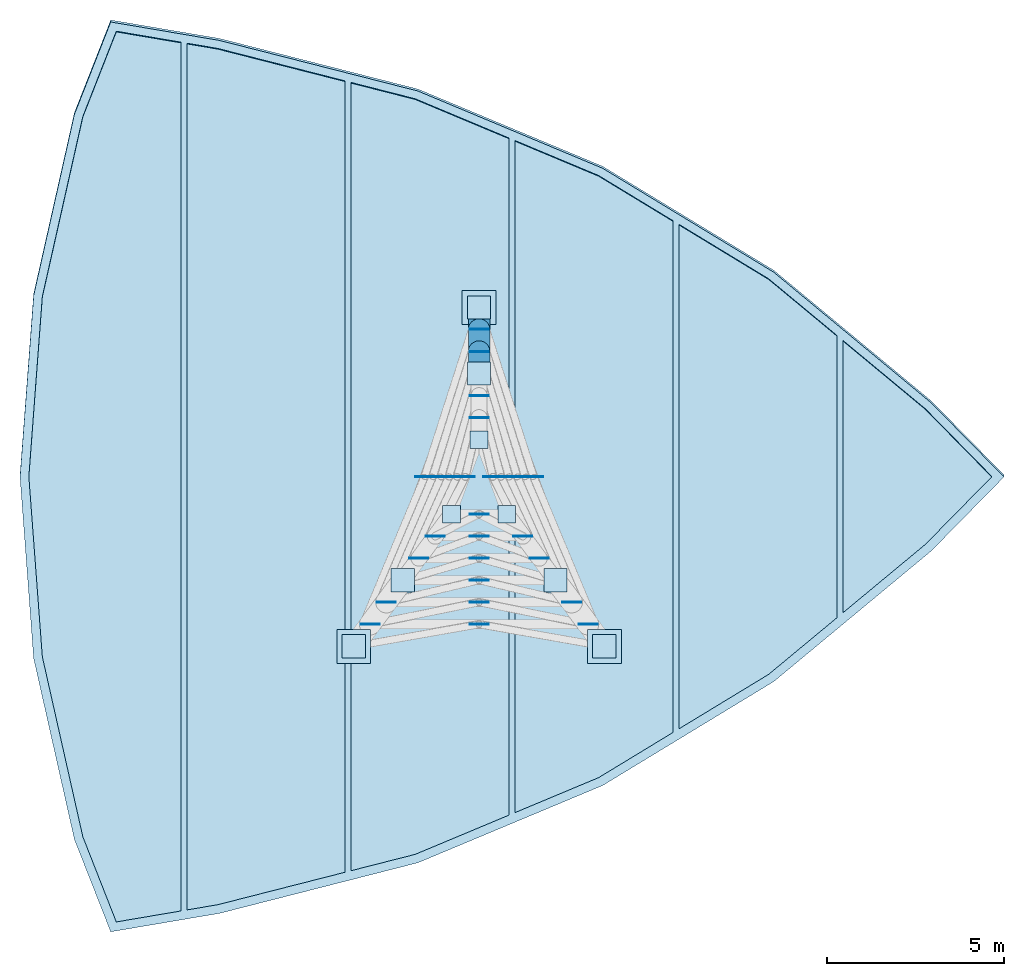
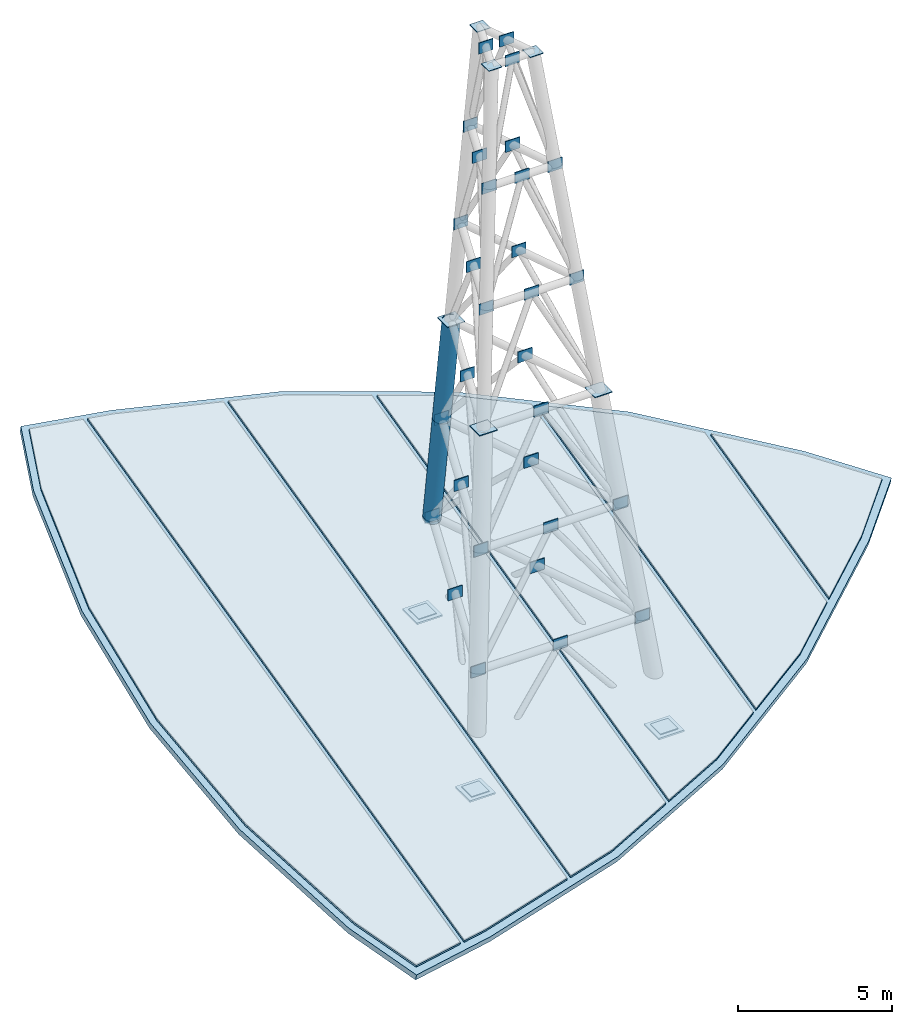
# One storey, part 2 of 3: 42 plates, 6 roofs, 3 members, 1 slab.
"""IFC4 building model written with IfcOpenShell, lengths in metres."""

from ifc_helpers import new_model, si_unit, direction, frame, origin, origin_2d, place, context, subcontext, project, spatial, polyline, rectangle, hollow_circle, outline, extrude, material, layer, layer_set, material_profile, profile_set, type_object, element, save


model = new_model("IFC4")

# Units and contexts
model_context = context("Model", 3, precision=1e-05, world=origin(), true_north=direction((0.0, 1.0)))
body_context = subcontext(model_context, "Body", "Model", "MODEL_VIEW")
ifc_project = project(units=[si_unit("LENGTHUNIT", "METRE"), si_unit("AREAUNIT", "SQUARE_METRE"), si_unit("VOLUMEUNIT", "CUBIC_METRE"), si_unit("PLANEANGLEUNIT", "RADIAN"), si_unit("MASSUNIT", "GRAM", prefix="KILO")], contexts=[model_context])

# Site, building, storey
site_placement = place(None, origin())
site = spatial("IfcSite", under=ifc_project, at=site_placement, CompositionType="ELEMENT")
building_placement = place(site_placement, origin())
building = spatial("IfcBuilding", under=site, at=building_placement, Name="Menara Vayukalpa", CompositionType="ELEMENT")
storey_placement = place(building_placement, frame((0.0, 0.0, 318.419921875)))
storey = spatial("IfcBuildingStorey", under=building, at=storey_placement, Name="RF", CompositionType="ELEMENT", Elevation=318.419921875)

# Members
ifc_material_1 = material(Name="Steel S460", Category="steel")
ifc_material_profile = material_profile(ifc_material_1, hollow_circle(Radius=0.3046875, WallThickness=0.028076171875, at=origin_2d()), Name="CHS 609.6x28")
ifc_profile_set = profile_set([ifc_material_profile], Name="Steel S460")
member_type = type_object("IfcMemberType", Name="MEM-ML1", PredefinedType="POST", material=ifc_profile_set)
member_placement = place(storey_placement, frame((25.60009765625, 26.800048828125, 0.0), z_axis=(0.0, -0.144709952784, 0.989474117683), x_axis=(1.0, 0.0, 0.0)))
element("IfcMember", 1, at=member_placement, inside=storey, type_object=member_type, Name="Broadcast Mast Leg ML1 Tier 1 L3", PredefinedType="POST", context=body_context, shape_type="SweptSolid", body=[
    extrude(hollow_circle(Radius=0.3046875, WallThickness=0.028076171875, at=origin_2d()), origin(), (0.0, 0.0, 1.0), 4.312255859375),
])
for number, where, z_axis, x_axis, name in (
    (2, (25.60009765625, 26.176025390625, 4.266845703125), (0.0, -0.144718059864, 0.989472931994), (1.0, 0.0, 0.0), "Broadcast Mast Leg ML1 Tier 2 L3"),
    (3, (25.60009765625, 25.552001953125, 8.533447265625), (0.0, -0.144718059864, 0.989472931994), (1.0, 0.0, 0.0), "Broadcast Mast Leg ML1 Tier 3 L3"),
):
    element("IfcMember", number, at=place(storey_placement, frame(where, z_axis=z_axis, x_axis=x_axis)), inside=storey, type_object=member_type, Name=name, PredefinedType="POST", context=body_context, shape_type="SweptSolid", body=[
        extrude(hollow_circle(Radius=0.3046875, WallThickness=0.028076171875, at=origin_2d()), origin(), (0.0, 0.0, 1.0), 4.31201171875),
    ])

# Plates
ifc_material_2 = material(Name="Steel S355", Category="steel")
ifc_layer_1 = layer(ifc_material_2, 0.028076171875)
ifc_layer_set_1 = layer_set([ifc_layer_1], Name="Steel S355")
plate_type_1 = type_object("IfcPlateType", Name="PLT-END2", PredefinedType="USERDEFINED", material=ifc_layer_set_1)
for number, where, z_axis, x_axis, name in (
    (4, (22.511474609375, 17.823974609375, 4.046875), (0.0, 0.0, 1.0), (1.0, 0.0, 0.0), "RF Structural Brace End Gusset Plate 099"),
    (5, (28.6884765625, 17.823974609375, 4.046875), (0.0, 0.0, 1.0), (1.0, 0.0, 0.0), "RF Structural Brace End Gusset Plate 100"),
    (6, (25.60009765625, 26.176025390625, 4.046875), (0.0, 0.0, 1.0), (1.0, 0.0, 0.0), "RF Structural Brace End Gusset Plate 101"),
    (7, (25.60009765625, 17.823974609375, 4.046875), (0.0, 0.0, 1.0), (1.0, 0.0, 0.0), "RF Structural Brace End Gusset Plate 102"),
    (8, (27.144287109375, 22.0, 4.046875), (0.0, 0.0, 1.0), (1.0, 0.0, 0.0), "RF Structural Brace End Gusset Plate 103"),
    (9, (24.055908203125, 22.0, 4.046875), (0.0, 0.0, 1.0), (1.0, 0.0, 0.0), "RF Structural Brace End Gusset Plate 104"),
    (10, (22.972900390625, 18.447998046875, 8.3134765625), (0.0, 0.0, 1.0), (1.0, 0.0, 0.0), "RF Structural Brace End Gusset Plate 105"),
    (11, (28.22705078125, 18.447998046875, 8.3134765625), (0.0, 0.0, 1.0), (1.0, 0.0, 0.0), "RF Structural Brace End Gusset Plate 106"),
    (12, (25.60009765625, 25.552001953125, 8.3134765625), (0.0, 0.0, 1.0), (1.0, 0.0, 0.0), "RF Structural Brace End Gusset Plate 107"),
    (13, (25.60009765625, 18.447998046875, 8.3134765625), (0.0, 0.0, 1.0), (1.0, 0.0, 0.0), "RF Structural Brace End Gusset Plate 108"),
    (14, (26.91357421875, 22.0, 8.3134765625), (0.0, 0.0, 1.0), (1.0, 0.0, 0.0), "RF Structural Brace End Gusset Plate 109"),
    (15, (24.28662109375, 22.0, 8.3134765625), (0.0, 0.0, 1.0), (1.0, 0.0, 0.0), "RF Structural Brace End Gusset Plate 110"),
    (16, (25.60009765625, 19.072021484375, 12.580078125), (0.0, 0.0, 1.0), (1.0, 0.0, 0.0), "RF Structural Brace End Gusset Plate 111"),
    (17, (26.6826171875, 22.0, 12.580078125), (0.0, 0.0, 1.0), (1.0, 0.0, 0.0), "RF Structural Brace End Gusset Plate 112"),
    (18, (24.517333984375, 22.0, 12.580078125), (0.0, 0.0, 1.0), (1.0, 0.0, 0.0), "RF Structural Brace End Gusset Plate 113"),
    (19, (23.89599609375, 19.696044921875, 16.846923828125), (0.0, 0.0, 1.0), (1.0, 0.0, 0.0), "RF Structural Brace End Gusset Plate 114"),
    (20, (27.303955078125, 19.696044921875, 16.846923828125), (0.0, 0.0, 1.0), (1.0, 0.0, 0.0), "RF Structural Brace End Gusset Plate 115"),
    (21, (25.60009765625, 24.303955078125, 16.846923828125), (0.0, 0.0, 1.0), (1.0, 0.0, 0.0), "RF Structural Brace End Gusset Plate 116"),
    (22, (25.60009765625, 19.696044921875, 16.846923828125), (0.0, 0.0, 1.0), (1.0, 0.0, 0.0), "RF Structural Brace End Gusset Plate 117"),
    (23, (26.451904296875, 22.0, 16.846923828125), (0.0, 0.0, 1.0), (1.0, 0.0, 0.0), "RF Structural Brace End Gusset Plate 118"),
    (24, (24.748046875, 22.0, 16.846923828125), (0.0, 0.0, 1.0), (1.0, 0.0, 0.0), "RF Structural Brace End Gusset Plate 119"),
    (25, (24.357421875, 20.320068359375, 21.113525390625), (0.0, 0.0, 1.0), (1.0, 0.0, 0.0), "RF Structural Brace End Gusset Plate 120"),
    (26, (26.842529296875, 20.320068359375, 21.113525390625), (0.0, 0.0, 1.0), (1.0, 0.0, 0.0), "RF Structural Brace End Gusset Plate 121"),
    (27, (25.60009765625, 23.679931640625, 21.113525390625), (0.0, 0.0, 1.0), (1.0, 0.0, 0.0), "RF Structural Brace End Gusset Plate 122"),
    (28, (25.60009765625, 20.320068359375, 21.113525390625), (0.0, 0.0, 1.0), (1.0, 0.0, 0.0), "RF Structural Brace End Gusset Plate 123"),
    (29, (26.22119140625, 22.0, 21.113525390625), (0.0, 0.0, 1.0), (1.0, 0.0, 0.0), "RF Structural Brace End Gusset Plate 124"),
    (30, (24.978759765625, 22.0, 21.113525390625), (0.0, 0.0, 1.0), (1.0, 0.0, 0.0), "RF Structural Brace End Gusset Plate 125"),
    (31, (25.60009765625, 20.944091796875, 25.380126953125), (0.0, 0.0, 1.0), (1.0, 0.0, 0.0), "RF Structural Brace End Gusset Plate 126"),
    (32, (25.990478515625, 22.0, 25.380126953125), (0.0, 0.0, 1.0), (1.0, 0.0, 0.0), "RF Structural Brace End Gusset Plate 127"),
    (33, (25.20947265625, 22.0, 25.380126953125), (0.0, 0.0, 1.0), (1.0, 0.0, 0.0), "RF Structural Brace End Gusset Plate 128"),
):
    element("IfcPlate", number, at=place(storey_placement, frame(where, z_axis=z_axis, x_axis=x_axis)), inside=storey, type_object=plate_type_1, Name=name, ObjectType="GUSSET_PLATE", PredefinedType="USERDEFINED", context=body_context, shape_type="SweptSolid", body=[
        extrude(rectangle(XDim=0.5400390625, YDim=0.028076171875, at=origin_2d()), origin(), (0.0, 0.0, 1.0), 0.43994140625),
    ])
ifc_material_3 = material(Name="Steel S355", Category="steel")
ifc_layer_2 = layer(ifc_material_3, 0.030029296875)
ifc_layer_set_2 = layer_set([ifc_layer_2], Name="Steel S355")
plate_type_2 = type_object("IfcPlateType", Name="PLT-MCP3", PredefinedType="USERDEFINED", material=ifc_layer_set_2)
for number, where, z_axis, x_axis, name in (
    (34, (22.050048828125, 17.199951171875, 0.06494140625), (0.0, 0.0, 1.0), (1.0, 0.0, 0.0), "Broadcast Mast Leg L1 Bottom Cap Plate MCP3"),
    (35, (29.14990234375, 17.199951171875, 0.06494140625), (0.0, 0.0, 1.0), (1.0, 0.0, 0.0), "Broadcast Mast Leg L2 Bottom Cap Plate MCP3"),
    (36, (25.60009765625, 26.800048828125, 0.06494140625), (0.0, 0.0, 1.0), (1.0, 0.0, 0.0), "Broadcast Mast Leg L3 Bottom Cap Plate MCP3"),
    (37, (23.4345703125, 19.072021484375, 12.80029296875), (0.0, 0.0, 1.0), (1.0, 0.0, 0.0), "Broadcast Mast Leg L1 End Cap Plate"),
    (38, (27.765380859375, 19.072021484375, 12.80029296875), (0.0, 0.0, 1.0), (1.0, 0.0, 0.0), "Broadcast Mast Leg L2 End Cap Plate"),
    (39, (25.60009765625, 24.927978515625, 12.80029296875), (0.0, 0.0, 1.0), (1.0, 0.0, 0.0), "Broadcast Mast Leg L3 End Cap Plate"),
):
    element("IfcPlate", number, at=place(storey_placement, frame(where, z_axis=z_axis, x_axis=x_axis)), inside=storey, type_object=plate_type_2, Name=name, ObjectType="CAP_PLATE", PredefinedType="USERDEFINED", context=body_context, shape_type="SweptSolid", body=[
        extrude(rectangle(XDim=0.659912109375, YDim=0.659912109375, at=origin_2d()), origin(), (0.0, 0.0, 1.0), 0.030029296875),
    ])
ifc_material_4 = material(Name="Steel S355", Category="steel")
ifc_layer_3 = layer(ifc_material_4, 0.02490234375)
ifc_layer_set_3 = layer_set([ifc_layer_3], Name="Steel S355")
plate_type_3 = type_object("IfcPlateType", Name="PLT-MCP4", PredefinedType="USERDEFINED", material=ifc_layer_set_3)
for number, where, z_axis, x_axis, name in (
    (40, (24.819091796875, 20.944091796875, 25.60009765625), (0.0, 0.0, 1.0), (1.0, 0.0, 0.0), "Broadcast Mast Leg L1 End Cap Plate"),
    (41, (26.381103515625, 20.944091796875, 25.60009765625), (0.0, 0.0, 1.0), (1.0, 0.0, 0.0), "Broadcast Mast Leg L2 End Cap Plate"),
    (42, (25.60009765625, 23.055908203125, 25.60009765625), (0.0, 0.0, 1.0), (1.0, 0.0, 0.0), "Broadcast Mast Leg L3 End Cap Plate"),
):
    element("IfcPlate", number, at=place(storey_placement, frame(where, z_axis=z_axis, x_axis=x_axis)), inside=storey, type_object=plate_type_3, Name=name, ObjectType="CAP_PLATE", PredefinedType="USERDEFINED", context=body_context, shape_type="SweptSolid", body=[
        extrude(rectangle(XDim=0.5, YDim=0.5, at=origin_2d()), origin(), (0.0, 0.0, 1.0), 0.02490234375),
    ])
ifc_material_5 = material(Name="Steel S355", Category="steel")
ifc_layer_4 = layer(ifc_material_5, 0.06494140625)
ifc_layer_set_4 = layer_set([ifc_layer_4], Name="Steel S355")
plate_type_4 = type_object("IfcPlateType", Name="PLT-MPB1", PredefinedType="USERDEFINED", material=ifc_layer_set_4)
for number, where, z_axis, x_axis, name in (
    (43, (22.050048828125, 17.199951171875, 0.0), (0.0, 0.0, 1.0), (1.0, 0.0, 0.0), "Broadcast Mast Leg L1 Base Plate MPB1"),
    (44, (29.14990234375, 17.199951171875, 0.0), (0.0, 0.0, 1.0), (1.0, 0.0, 0.0), "Broadcast Mast Leg L2 Base Plate MPB1"),
    (45, (25.60009765625, 26.800048828125, 0.0), (0.0, 0.0, 1.0), (1.0, 0.0, 0.0), "Broadcast Mast Leg L3 Base Plate MPB1"),
):
    element("IfcPlate", number, at=place(storey_placement, frame(where, z_axis=z_axis, x_axis=x_axis)), inside=storey, type_object=plate_type_4, Name=name, ObjectType="BASE_PLATE", PredefinedType="USERDEFINED", context=body_context, shape_type="SweptSolid", body=[
        extrude(rectangle(XDim=0.9599609375, YDim=0.9599609375, at=origin_2d()), origin(), (0.0, 0.0, 1.0), 0.06494140625),
    ])

# Slab
ifc_material_6 = material(Name="Concrete C40/50", Category="concrete")
ifc_layer_5 = layer(ifc_material_6, 0.239990234375)
ifc_layer_set_5 = layer_set([ifc_layer_5], Name="Concrete C40/50")
slab_type = type_object("IfcSlabType", Name="SLB-RF240", PredefinedType="ROOF", material=ifc_layer_set_5)
slab_placement = place(storey_placement, frame((38.41064453125, 19.903564453125, 2.590576171875), z_axis=(-3.85713e-07, -0.233445453654, 0.972369898839), x_axis=(0.690541392941, 0.703308158598, 0.16884969258)))
element("IfcSlab", 46, at=slab_placement, inside=storey, type_object=slab_type, Name="Crown Sloped Structural Roof Slab", PredefinedType="ROOF", context=body_context, shape_type="SweptSolid", body=[
    extrude(outline(polyline([(0.0, 0.0), (2.9807765767029792, -1.8041124150158794e-16), (3.1188431636388922, 2.977618574335408), (2.7902668193436946, 8.832810345026903), (1.6333815602229698, 14.429501261726893), (-0.3515996845603965, 19.76789461183943), (-3.1648486210998135, 24.847826464278207), (-4.9069448727964335, 27.453151131148392), (-7.567042027290541, 26.336576716969304), (-12.182470717091105, 23.526706099702906), (-16.266378859466922, 20.160023069873386), (-19.818515419071776, 16.23642975494139), (-22.839090208182395, 11.756063383764005), (-24.077684390120456, 9.150483419083503), (-21.555781188700042, 7.289655200419761), (-16.61160756539702, 4.244157461819828), (-11.37081416390048, 2.014149574949357), (-5.833696359512261, 0.5993495397688179), (0.0, 0.0)])), origin(), (0.0, 0.0, -1.0), 0.239990234375),
])

# Roofs
ifc_material_7 = material(Name="Low-E Laminated Crown Skylight Glazing", Category="glass")
ifc_layer_6 = layer(ifc_material_7, 0.080078125)
ifc_layer_set_6 = layer_set([ifc_layer_6], Name="Low-E Laminated Crown Skylight Glazing")
roof_type = type_object("IfcRoofType", Name="ROF-SHD1", PredefinedType="SHED_ROOF", material=ifc_layer_set_6)
roof_1_placement = place(storey_placement, frame((15.323974609375, 9.394287109375, 0.1474609375), z_axis=(2.3765407e-05, -0.233448279962, 0.972369220007), x_axis=(-0.356762021721, 0.908380776786, 0.218094530475)))
element("IfcRoof", 47, at=roof_1_placement, inside=storey, type_object=roof_type, Name="Crown Sloped Skylight Roof Panel RF-01", PredefinedType="SHED_ROOF", context=body_context, shape_type="SweptSolid", body=[
    extrude(outline(polyline([(0.0, 0.0), (2.6572280252059395, 2.0816681711721685e-16), (7.962487140781123, -0.7985337215247581), (12.994451942851777, -2.311208702273671), (17.753793422659964, -4.537758509745584), (22.240780925300932, -7.478808683438688), (24.22164279666028, -9.250059651898674), (23.26618133349992, -10.852527852106359), (-0.3559709327291538, -1.8314090407484007), (0.0, 0.0)])), origin(), (0.0, 0.0, -1.0), 0.080078125),
])
roof_2_placement = place(storey_placement, frame((18.201171875, 9.8828125, 0.2646484375), z_axis=(-2.6227654e-05, -0.233442854226, 0.972370522549), x_axis=(-0.985066125345, -0.167413268116, -0.040218482781)))
element("IfcRoof", 48, at=roof_2_placement, inside=storey, type_object=roof_type, Name="Crown Sloped Skylight Roof Panel RF-02", PredefinedType="SHED_ROOF", context=body_context, shape_type="SweptSolid", body=[
    extrude(outline(polyline([(0.0, 0.0), (0.8924785533256521, 0.0), (-3.4515877024206176, -24.85353050407132), (-4.291151686871355, -24.550792527347564), (-7.680655702505753, -22.998224839785102), (-3.7151990345155292, -0.310818037029291), (0.0, 0.0)])), origin(), (0.0, 0.0, -1.0), 0.080078125),
])
roof_3_placement = place(storey_placement, frame((23.790283203125, 11.30810546875, 0.60693359375), z_axis=(0.0, -0.233446211888, 0.972369716803), x_axis=(-0.967294898865, -0.246645903076, -0.059214669848)))
element("IfcRoof", 49, at=roof_3_placement, inside=storey, type_object=roof_type, Name="Crown Sloped Skylight Roof Panel RF-03", PredefinedType="SHED_ROOF", context=body_context, shape_type="SweptSolid", body=[
    extrude(outline(polyline([(0.0, 0.0), (1.8846352327645528, 1.734723475976807e-17), (-3.9361013988988702, -22.19700427742518), (-5.578219588901562, -21.27218115344969), (-7.863199934045883, -19.48885809635288), (-2.8660539160984224, -0.43256358340232676), (0.0, 0.0)])), origin(), (0.0, 0.0, -1.0), 0.080078125),
])
roof_4_placement = place(storey_placement, frame((28.988037109375, 13.482421875, 1.12890625), z_axis=(2.4583046e-05, -0.233447481095, 0.97236941178), x_axis=(-0.918595444774, -0.384284886238, -0.092236300067)))
element("IfcRoof", 50, at=roof_4_placement, inside=storey, type_object=roof_type, Name="Crown Sloped Skylight Roof Panel RF-04", PredefinedType="SHED_ROOF", context=body_context, shape_type="SweptSolid", body=[
    extrude(outline(polyline([(0.0, 0.0), (2.585734725184931, -1.3183898417423734e-16), (-5.1455429665125125, -17.970472754793178), (-6.923585136934196, -16.09308358309074), (-8.340971563214206, -14.048285142586943), (-2.45926118652672, -0.37692055070782104), (0.0, 0.0)])), origin(), (0.0, 0.0, -1.0), 0.080078125),
])
roof_5_placement = place(storey_placement, frame((33.80322265625, 16.4072265625, 1.8310546875), z_axis=(2.9641408e-05, -0.23344522725, 0.972369952742), x_axis=(-0.8481122527, -0.515183589649, -0.123658706833)))
element("IfcRoof", 51, at=roof_5_placement, inside=storey, type_object=roof_type, Name="Crown Sloped Skylight Roof Panel RF-05", PredefinedType="SHED_ROOF", context=body_context, shape_type="SweptSolid", body=[
    extrude(outline(polyline([(0.0, 0.0), (3.000689903855936, 1.3877787807814457e-17), (-4.778632500102239, -12.452873179880061), (-6.09467125483832, -9.756141242956685), (-6.863489098414252, -7.324382965221125), (-2.522586543369119, -0.37561464537632816), (0.0, 0.0)])), origin(), (0.0, 0.0, -1.0), 0.080078125),
])
roof_6_placement = place(storey_placement, frame((35.903564453125, 18.149169921875, 2.249267578125), z_axis=(2.6790109e-05, -0.233463940442, 0.972365459997), x_axis=(1.3e-10, 0.972365460346, 0.233463940526)))
element("IfcRoof", 52, at=roof_6_placement, inside=storey, type_object=roof_type, Name="Crown Sloped Skylight Roof Panel RF-06", PredefinedType="SHED_ROOF", context=body_context, shape_type="SweptSolid", body=[
    extrude(outline(polyline([(0.0, 0.0), (7.920531420317828, 0.0), (5.926691123944212, -2.337646486174724), (3.960265710707024, -4.215087889112396), (1.9937832989492144, -2.3376464872573406), (0.0, 0.0)])), origin(), (0.0, 0.0, -1.0), 0.080078125),
])

save(model, "model.ifc")
